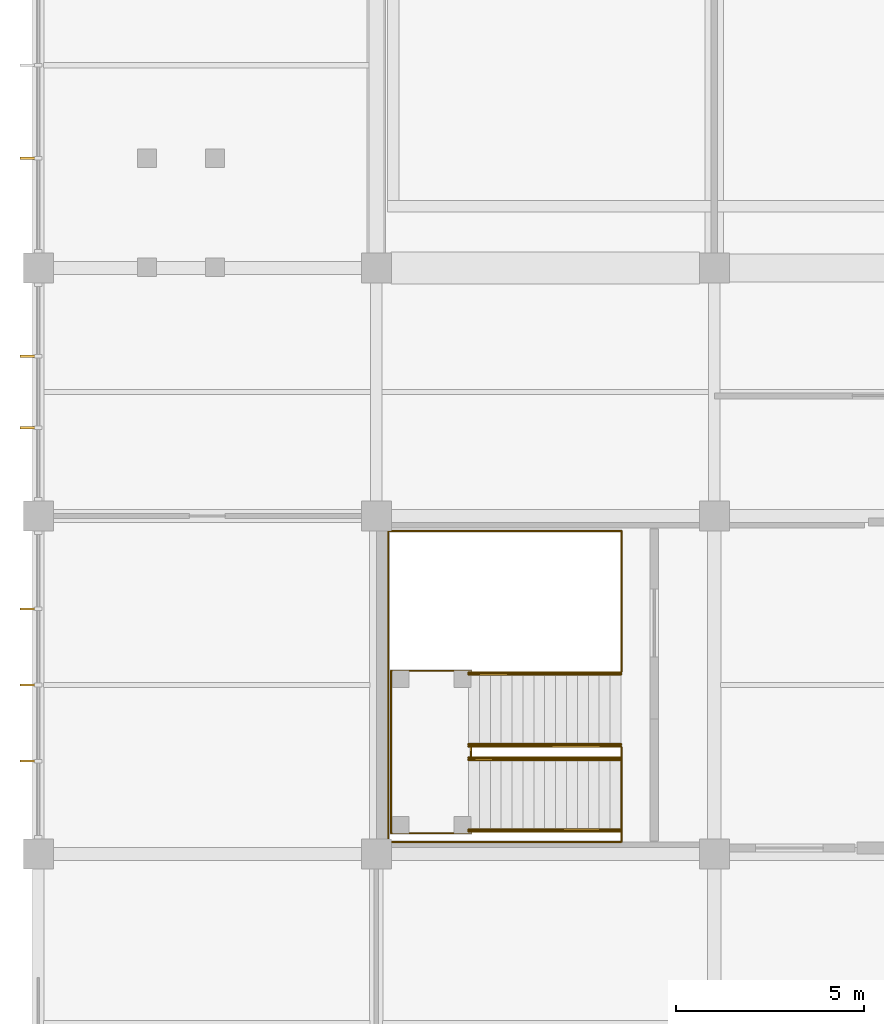
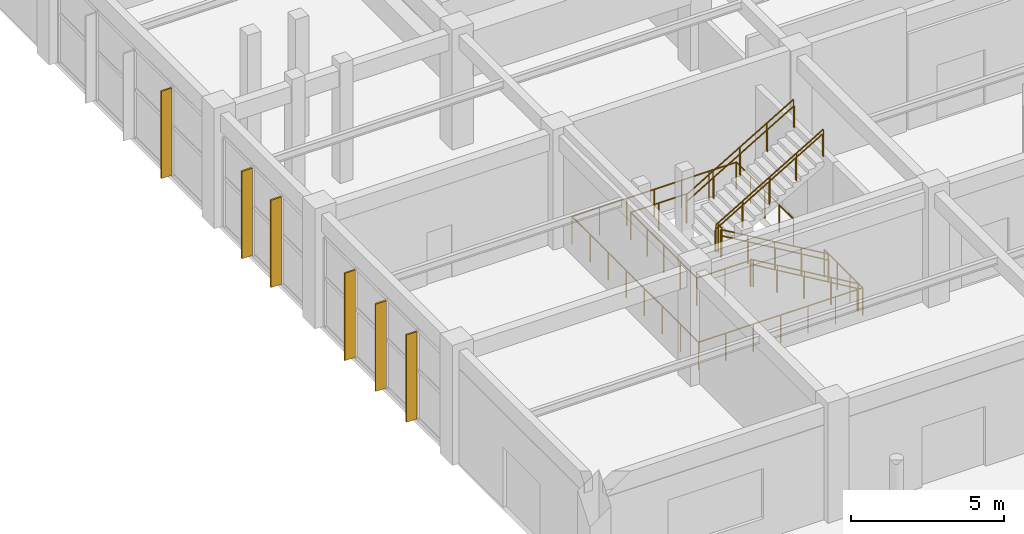
# One storey, part 63 of 82: 11 railings, 6 shading devices.
"""IFC4 building model written with IfcOpenShell, lengths in metres."""

from ifc_helpers import new_model, si_unit, direction, frame, origin, origin_2d, place, context, subcontext, project, spatial, rectangle, circle, extrude, material, type_object, element, save


model = new_model("IFC4")

# Units and contexts
model_context = context("Model", 3, precision=1e-05, world=origin(), true_north=direction((0.0, 1.0)))
body_context = subcontext(model_context, "Body", "Model", "MODEL_VIEW")
ifc_project = project(units=[si_unit("LENGTHUNIT", "METRE"), si_unit("AREAUNIT", "SQUARE_METRE"), si_unit("VOLUMEUNIT", "CUBIC_METRE"), si_unit("PLANEANGLEUNIT", "RADIAN"), si_unit("MASSUNIT", "GRAM", prefix="KILO")], contexts=[model_context])

# Site, building, storey
site_placement = place(None, origin())
site = spatial("IfcSite", under=ifc_project, at=site_placement, CompositionType="ELEMENT")
building_placement = place(site_placement, origin())
building = spatial("IfcBuilding", under=site, at=building_placement, Name="Suirenkawa Promenade Aquatics Centre", CompositionType="ELEMENT")
storey_placement = place(building_placement, origin())
storey = spatial("IfcBuildingStorey", under=building, at=storey_placement, Name="L00", CompositionType="ELEMENT", Elevation=0.0)

# Railings
ifc_material_1 = material(Name="Marine-grade stainless steel Grade 316L", Category="steel")
railing_type_1 = type_object("IfcRailingType", Name="RLT-GUARD-1120", PredefinedType="GUARDRAIL", material=ifc_material_1)
for number, where, name in (
    (1, (15.514892578125, 15.760009765625, 0.0), "Guardrail GRD-01 RL-0011"),
    (2, (15.514892578125, 13.800048828125, 0.0), "Guardrail GRD-01 RL-0013"),
):
    element("IfcRailing", number, at=place(storey_placement, frame(where)), inside=storey, type_object=railing_type_1, Name=name, PredefinedType="GUARDRAIL", context=body_context, shape_type="SweptSolid", body=[
        extrude(circle(Radius=0.02392578125, at=origin_2d()), frame((0.0, 0.0, 1.09619140625), z_axis=(-0.860840976868, 0.0, 0.508874063541), x_axis=(0.0, -1.0, 0.0)), (0.0, 0.0, 1.0), 4.716064453125),
        extrude(circle(Radius=0.02099609375, at=origin_2d()), origin(), (0.0, 0.0, 1.0), 1.072021484375),
        extrude(circle(Radius=0.02099609375, at=origin_2d()), frame((-1.014892578125, 0.0, 0.60009765625)), (0.0, 0.0, 1.0), 1.072021484375),
        extrude(circle(Radius=0.02099609375, at=origin_2d()), frame((-2.02978515625, 0.0, 1.199951171875)), (0.0, 0.0, 1.0), 1.072021484375),
        extrude(circle(Radius=0.02099609375, at=origin_2d()), frame((-3.044921875, 0.0, 1.7998046875)), (0.0, 0.0, 1.0), 1.072021484375),
        extrude(circle(Radius=0.02099609375, at=origin_2d()), frame((-4.059814453125, 0.0, 2.39990234375)), (0.0, 0.0, 1.0), 1.072021484375),
    ])
for number, where, name in (
    (3, (11.455078125, 16.070068359375, 2.39990234375), "Guardrail GRD-01 RL-0015"),
    (4, (11.455078125, 18.030029296875, 2.39990234375), "Guardrail GRD-01 RL-0017"),
):
    element("IfcRailing", number, at=place(storey_placement, frame(where)), inside=storey, type_object=railing_type_1, Name=name, PredefinedType="GUARDRAIL", context=body_context, shape_type="SweptSolid", body=[
        extrude(circle(Radius=0.02392578125, at=origin_2d()), frame((0.0, 0.0, 1.09619140625), z_axis=(0.860818299379, 0.0, 0.50891242415), x_axis=(0.0, 1.0, 0.0)), (0.0, 0.0, 1.0), 4.71630859375),
        extrude(circle(Radius=0.02099609375, at=origin_2d()), origin(), (0.0, 0.0, 1.0), 1.072021484375),
        extrude(circle(Radius=0.02099609375, at=origin_2d()), frame((1.014892578125, 0.0, 0.60009765625)), (0.0, 0.0, 1.0), 1.072021484375),
        extrude(circle(Radius=0.02099609375, at=origin_2d()), frame((2.02978515625, 0.0, 1.2001953125)), (0.0, 0.0, 1.0), 1.072021484375),
        extrude(circle(Radius=0.02099609375, at=origin_2d()), frame((3.044921875, 0.0, 1.800048828125)), (0.0, 0.0, 1.0), 1.072021484375),
        extrude(circle(Radius=0.02099609375, at=origin_2d()), frame((4.059814453125, 0.0, 2.400146484375)), (0.0, 0.0, 1.0), 1.072021484375),
    ])
railing_1_placement = place(storey_placement, frame((11.52001953125, 13.75, 2.39990234375)))
element("IfcRailing", 5, at=railing_1_placement, inside=storey, type_object=railing_type_1, Name="Guardrail GRD-01 RL-0019", PredefinedType="GUARDRAIL", context=body_context, shape_type="SweptSolid", body=[
    extrude(circle(Radius=0.02392578125, at=origin_2d()), frame((0.0, 0.0, 1.09619140625), z_axis=(-1.0, 0.0, 0.0), x_axis=(0.0, -1.0, 0.0)), (0.0, 0.0, 1.0), 2.130126953125),
    extrude(circle(Radius=0.02392578125, at=origin_2d()), frame((-2.130126953125, 0.0, 1.09619140625), z_axis=(0.0, 1.0, 0.0), x_axis=(-1.0, 0.0, 0.0)), (0.0, 0.0, 1.0), 4.330078125),
    extrude(circle(Radius=0.02392578125, at=origin_2d()), frame((-2.130126953125, 4.330078125, 1.09619140625), z_axis=(1.0, 0.0, 0.0), x_axis=(0.0, 1.0, 0.0)), (0.0, 0.0, 1.0), 2.130126953125),
    extrude(circle(Radius=0.02099609375, at=origin_2d()), origin(), (0.0, 0.0, 1.0), 1.072021484375),
    extrude(circle(Radius=0.02099609375, at=origin_2d()), frame((-1.06494140625, 0.0, 0.0)), (0.0, 0.0, 1.0), 1.072021484375),
    extrude(circle(Radius=0.02099609375, at=origin_2d()), frame((-2.130126953125, 0.0, 0.0)), (0.0, 0.0, 1.0), 1.072021484375),
    extrude(circle(Radius=0.02099609375, at=origin_2d()), frame((-2.130126953125, 1.08251953125, 0.0)), (0.0, 0.0, 1.0), 1.072021484375),
    extrude(circle(Radius=0.02099609375, at=origin_2d()), frame((-2.130126953125, 2.1650390625, 0.0)), (0.0, 0.0, 1.0), 1.072021484375),
    extrude(circle(Radius=0.02099609375, at=origin_2d()), frame((-2.130126953125, 3.24755859375, 0.0)), (0.0, 0.0, 1.0), 1.072021484375),
    extrude(circle(Radius=0.02099609375, at=origin_2d()), frame((-2.130126953125, 4.330078125, 0.0)), (0.0, 0.0, 1.0), 1.072021484375),
    extrude(circle(Radius=0.02099609375, at=origin_2d()), frame((-1.06494140625, 4.330078125, 0.0)), (0.0, 0.0, 1.0), 1.072021484375),
    extrude(circle(Radius=0.02099609375, at=origin_2d()), frame((0.0, 4.330078125, 0.0)), (0.0, 0.0, 1.0), 1.072021484375),
])
railing_2_placement = place(storey_placement, frame((11.52001953125, 15.7900390625, 2.39990234375)))
element("IfcRailing", 6, at=railing_2_placement, inside=storey, type_object=railing_type_1, Name="Guardrail GRD-01 RL-0020", PredefinedType="GUARDRAIL", context=body_context, shape_type="SweptSolid", body=[
    extrude(circle(Radius=0.02392578125, at=origin_2d()), frame((0.0, 0.0, 1.09619140625), z_axis=(0.0, 1.0, 0.0), x_axis=(-1.0, 0.0, 0.0)), (0.0, 0.0, 1.0), 0.25),
    extrude(circle(Radius=0.02099609375, at=origin_2d()), origin(), (0.0, 0.0, 1.0), 1.072021484375),
    extrude(circle(Radius=0.02099609375, at=origin_2d()), frame((0.0, 0.25, 0.0)), (0.0, 0.0, 1.0), 1.072021484375),
])
railing_3_placement = place(storey_placement, frame((15.530029296875, 18.06005859375, 0.0)))
element("IfcRailing", 7, at=railing_3_placement, inside=storey, type_object=railing_type_1, Name="Guardrail GRD-01 RL-0402", PredefinedType="GUARDRAIL", context=body_context, shape_type="SweptSolid", body=[
    extrude(circle(Radius=0.02392578125, at=origin_2d()), frame((0.0, 0.0, 1.09619140625), z_axis=(0.0, 1.0, 0.0), x_axis=(-1.0, 0.0, 0.0)), (0.0, 0.0, 1.0), 3.739990234375),
    extrude(circle(Radius=0.02392578125, at=origin_2d()), frame((0.0, 3.739990234375, 1.09619140625), z_axis=(-1.0, 0.0, 0.0), x_axis=(0.0, -1.0, 0.0)), (0.0, 0.0, 1.0), 6.2099609375),
    extrude(circle(Radius=0.02392578125, at=origin_2d()), frame((-6.2099609375, 3.739990234375, 1.09619140625), z_axis=(0.0, -1.0, 0.0), x_axis=(1.0, 0.0, 0.0)), (0.0, 0.0, 1.0), 8.280029296875),
    extrude(circle(Radius=0.02392578125, at=origin_2d()), frame((-6.2099609375, -4.5400390625, 1.09619140625), z_axis=(1.0, 0.0, 0.0), x_axis=(0.0, 1.0, 0.0)), (0.0, 0.0, 1.0), 6.2099609375),
    extrude(circle(Radius=0.02392578125, at=origin_2d()), frame((0.0, -4.5400390625, 1.09619140625), z_axis=(0.0, 1.0, 0.0), x_axis=(-1.0, 0.0, 0.0)), (0.0, 0.0, 1.0), 2.52001953125),
    extrude(circle(Radius=0.02099609375, at=origin_2d()), origin(), (0.0, 0.0, 1.0), 1.072021484375),
    extrude(circle(Radius=0.02099609375, at=origin_2d()), frame((0.0, 0.93505859375, 0.0)), (0.0, 0.0, 1.0), 1.072021484375),
    extrude(circle(Radius=0.02099609375, at=origin_2d()), frame((0.0, 1.8701171875, 0.0)), (0.0, 0.0, 1.0), 1.072021484375),
    extrude(circle(Radius=0.02099609375, at=origin_2d()), frame((0.0, 2.804931640625, 0.0)), (0.0, 0.0, 1.0), 1.072021484375),
    extrude(circle(Radius=0.02099609375, at=origin_2d()), frame((0.0, 3.739990234375, 0.0)), (0.0, 0.0, 1.0), 1.072021484375),
    extrude(circle(Radius=0.02099609375, at=origin_2d()), frame((-1.034912109375, 3.739990234375, 0.0)), (0.0, 0.0, 1.0), 1.072021484375),
    extrude(circle(Radius=0.02099609375, at=origin_2d()), frame((-2.070068359375, 3.739990234375, 0.0)), (0.0, 0.0, 1.0), 1.072021484375),
    extrude(circle(Radius=0.02099609375, at=origin_2d()), frame((-3.10498046875, 3.739990234375, 0.0)), (0.0, 0.0, 1.0), 1.072021484375),
    extrude(circle(Radius=0.02099609375, at=origin_2d()), frame((-4.139892578125, 3.739990234375, 0.0)), (0.0, 0.0, 1.0), 1.072021484375),
    extrude(circle(Radius=0.02099609375, at=origin_2d()), frame((-5.175048828125, 3.739990234375, 0.0)), (0.0, 0.0, 1.0), 1.072021484375),
    extrude(circle(Radius=0.02099609375, at=origin_2d()), frame((-6.2099609375, 3.739990234375, 0.0)), (0.0, 0.0, 1.0), 1.072021484375),
    extrude(circle(Radius=0.02099609375, at=origin_2d()), frame((-6.2099609375, 2.55712890625, 0.0)), (0.0, 0.0, 1.0), 1.072021484375),
    extrude(circle(Radius=0.02099609375, at=origin_2d()), frame((-6.2099609375, 1.374267578125, 0.0)), (0.0, 0.0, 1.0), 1.072021484375),
    extrude(circle(Radius=0.02099609375, at=origin_2d()), frame((-6.2099609375, 0.19140625, 0.0)), (0.0, 0.0, 1.0), 1.072021484375),
    extrude(circle(Radius=0.02099609375, at=origin_2d()), frame((-6.2099609375, -0.991455078125, 0.0)), (0.0, 0.0, 1.0), 1.072021484375),
    extrude(circle(Radius=0.02099609375, at=origin_2d()), frame((-6.2099609375, -2.17431640625, 0.0)), (0.0, 0.0, 1.0), 1.072021484375),
    extrude(circle(Radius=0.02099609375, at=origin_2d()), frame((-6.2099609375, -3.357177734375, 0.0)), (0.0, 0.0, 1.0), 1.072021484375),
    extrude(circle(Radius=0.02099609375, at=origin_2d()), frame((-6.2099609375, -4.5400390625, 0.0)), (0.0, 0.0, 1.0), 1.072021484375),
    extrude(circle(Radius=0.02099609375, at=origin_2d()), frame((-5.175048828125, -4.5400390625, 0.0)), (0.0, 0.0, 1.0), 1.072021484375),
    extrude(circle(Radius=0.02099609375, at=origin_2d()), frame((-4.139892578125, -4.5400390625, 0.0)), (0.0, 0.0, 1.0), 1.072021484375),
    extrude(circle(Radius=0.02099609375, at=origin_2d()), frame((-3.10498046875, -4.5400390625, 0.0)), (0.0, 0.0, 1.0), 1.072021484375),
    extrude(circle(Radius=0.02099609375, at=origin_2d()), frame((-2.070068359375, -4.5400390625, 0.0)), (0.0, 0.0, 1.0), 1.072021484375),
    extrude(circle(Radius=0.02099609375, at=origin_2d()), frame((-1.034912109375, -4.5400390625, 0.0)), (0.0, 0.0, 1.0), 1.072021484375),
    extrude(circle(Radius=0.02099609375, at=origin_2d()), frame((0.0, -4.5400390625, 0.0)), (0.0, 0.0, 1.0), 1.072021484375),
    extrude(circle(Radius=0.02099609375, at=origin_2d()), frame((0.0, -3.699951171875, 0.0)), (0.0, 0.0, 1.0), 1.072021484375),
    extrude(circle(Radius=0.02099609375, at=origin_2d()), frame((0.0, -2.860107421875, 0.0)), (0.0, 0.0, 1.0), 1.072021484375),
    extrude(circle(Radius=0.02099609375, at=origin_2d()), frame((0.0, -2.02001953125, 0.0)), (0.0, 0.0, 1.0), 1.072021484375),
])
railing_type_2 = type_object("IfcRailingType", Name="RLT-HANDRAIL-900", PredefinedType="HANDRAIL", material=ifc_material_1)
for number, where, name in (
    (8, (15.514892578125, 15.7099609375, 0.0), "Handrail HRL-01 RL-0012"),
    (9, (15.514892578125, 13.85009765625, 0.0), "Handrail HRL-01 RL-0014"),
):
    element("IfcRailing", number, at=place(storey_placement, frame(where)), inside=storey, type_object=railing_type_2, Name=name, PredefinedType="HANDRAIL", context=body_context, shape_type="SweptSolid", body=[
        extrude(circle(Radius=0.02392578125, at=origin_2d()), frame((0.0, 0.0, 0.8759765625), z_axis=(-0.860840976868, 0.0, 0.508874063541), x_axis=(0.0, -1.0, 0.0)), (0.0, 0.0, 1.0), 4.716064453125),
        extrude(circle(Radius=0.02099609375, at=origin_2d()), origin(), (0.0, 0.0, 1.0), 0.851806640625),
        extrude(circle(Radius=0.02099609375, at=origin_2d()), frame((-1.014892578125, 0.0, 0.60009765625)), (0.0, 0.0, 1.0), 0.851806640625),
        extrude(circle(Radius=0.02099609375, at=origin_2d()), frame((-2.02978515625, 0.0, 1.199951171875)), (0.0, 0.0, 1.0), 0.851806640625),
        extrude(circle(Radius=0.02099609375, at=origin_2d()), frame((-3.044921875, 0.0, 1.7998046875)), (0.0, 0.0, 1.0), 0.851806640625),
        extrude(circle(Radius=0.02099609375, at=origin_2d()), frame((-4.059814453125, 0.0, 2.39990234375)), (0.0, 0.0, 1.0), 0.851806640625),
    ])
for number, where, name in (
    (10, (11.455078125, 16.1201171875, 2.39990234375), "Handrail HRL-01 RL-0016"),
    (11, (11.455078125, 17.97998046875, 2.39990234375), "Handrail HRL-01 RL-0018"),
):
    element("IfcRailing", number, at=place(storey_placement, frame(where)), inside=storey, type_object=railing_type_2, Name=name, PredefinedType="HANDRAIL", context=body_context, shape_type="SweptSolid", body=[
        extrude(circle(Radius=0.02392578125, at=origin_2d()), frame((0.0, 0.0, 0.8759765625), z_axis=(0.860818299379, 0.0, 0.50891242415), x_axis=(0.0, 1.0, 0.0)), (0.0, 0.0, 1.0), 4.71630859375),
        extrude(circle(Radius=0.02099609375, at=origin_2d()), origin(), (0.0, 0.0, 1.0), 0.851806640625),
        extrude(circle(Radius=0.02099609375, at=origin_2d()), frame((1.014892578125, 0.0, 0.60009765625)), (0.0, 0.0, 1.0), 0.851806640625),
        extrude(circle(Radius=0.02099609375, at=origin_2d()), frame((2.02978515625, 0.0, 1.2001953125)), (0.0, 0.0, 1.0), 0.851806640625),
        extrude(circle(Radius=0.02099609375, at=origin_2d()), frame((3.044921875, 0.0, 1.800048828125)), (0.0, 0.0, 1.0), 0.851806640625),
        extrude(circle(Radius=0.02099609375, at=origin_2d()), frame((4.059814453125, 0.0, 2.400146484375)), (0.0, 0.0, 1.0), 0.851806640625),
    ])

# Shading devices
ifc_material_2 = material(Name="Anodised aluminium 6063-T6", Category="aluminium")
shading_device_type = type_object("IfcShadingDeviceType", Name="SDT-KOUSHI-400", PredefinedType="USERDEFINED", material=ifc_material_2)
for number, where, z_axis, x_axis, name in (
    (12, (-0.287109375, 15.674560546875, 0.0400390625), (0.0, 0.0, 1.0), (-1.0, 0.0, 0.0), "Vertical solar shading fin FN-01 FIN-0063"),
    (13, (-0.287109375, 17.699951171875, 0.0400390625), (0.0, 0.0, 1.0), (-1.0, 0.0, 0.0), "Vertical solar shading fin FN-01 FIN-0064"),
    (14, (-0.287109375, 19.7255859375, 0.0400390625), (0.0, 0.0, 1.0), (-1.0, 0.0, 0.0), "Vertical solar shading fin FN-01 FIN-0065"),
    (15, (-0.287109375, 24.549560546875, 0.0400390625), (0.0, 0.0, 1.0), (-1.0, 0.0, 0.0), "Vertical solar shading fin FN-01 FIN-0069"),
    (16, (-0.287109375, 26.450439453125, 0.0400390625), (0.0, 0.0, 1.0), (-1.0, 0.0, 0.0), "Vertical solar shading fin FN-01 FIN-0070"),
    (17, (-0.287109375, 31.724609375, 0.0400390625), (0.0, 0.0, 1.0), (-1.0, 0.0, 0.0), "Vertical solar shading fin FN-01 FIN-0071"),
):
    element("IfcShadingDevice", number, at=place(storey_placement, frame(where, z_axis=z_axis, x_axis=x_axis)), inside=storey, type_object=shading_device_type, Name=name, ObjectType="FIN", PredefinedType="USERDEFINED", context=body_context, shape_type="SweptSolid", body=[
        extrude(rectangle(XDim=0.39990234375, YDim=0.06005859375, at=origin_2d()), origin(), (0.0, 0.0, 1.0), 3.489990234375),
    ])

save(model, "model.ifc")
